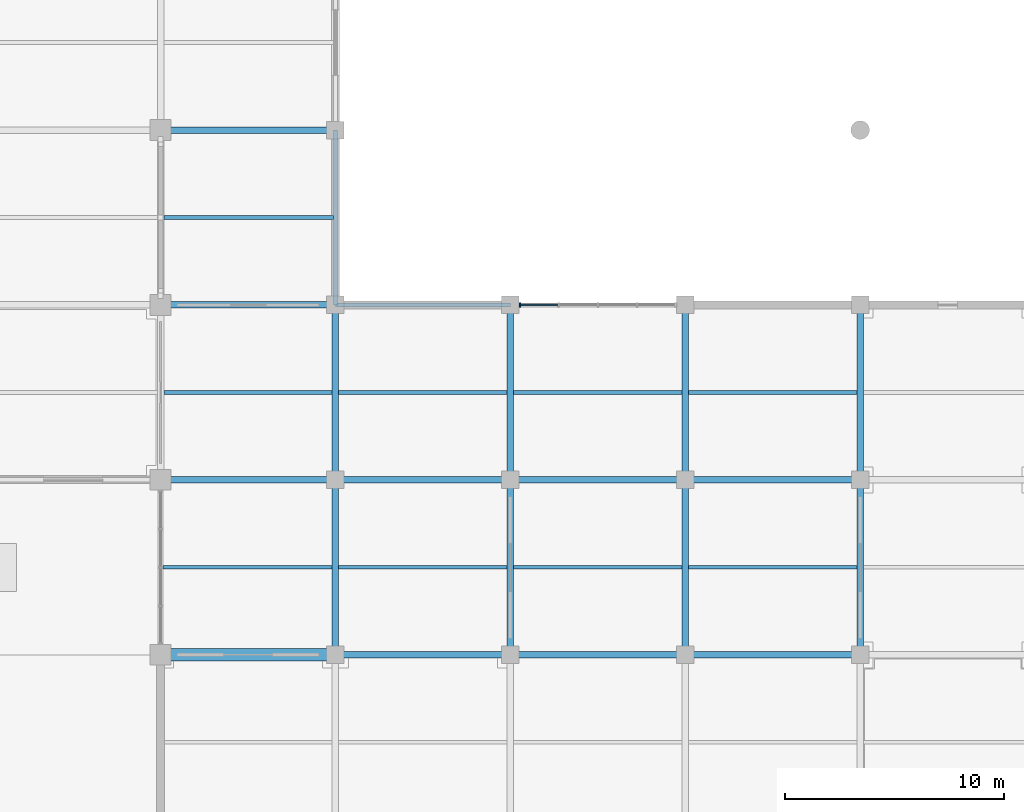
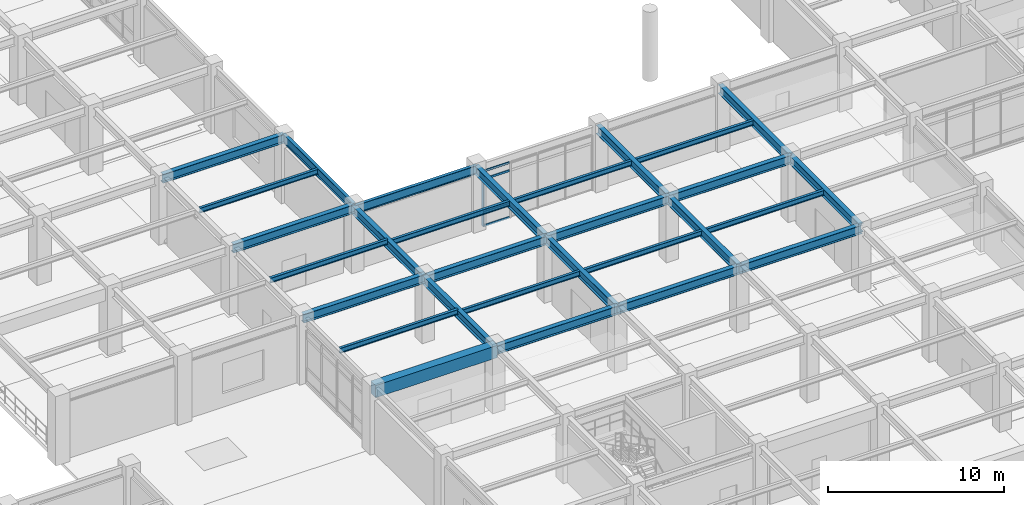
# One storey, part 24 of 109: 29 beams, 5 members, 1 element without a shape of its own.
"""IFC4 building model written with IfcOpenShell, lengths in metres."""

from ifc_helpers import new_model, si_unit, direction, frame, origin, origin_2d, place, context, subcontext, project, spatial, rectangle, i_section, extrude, material, layer, layer_set, material_profile, profile_set, type_object, element, aggregate, save


model = new_model("IFC4")

# Units and contexts
model_context = context("Model", 3, precision=1e-05, world=origin(), true_north=direction((0.0, 1.0)))
body_context = subcontext(model_context, "Body", "Model", "MODEL_VIEW")
ifc_project = project(units=[si_unit("LENGTHUNIT", "METRE"), si_unit("AREAUNIT", "SQUARE_METRE"), si_unit("VOLUMEUNIT", "CUBIC_METRE"), si_unit("PLANEANGLEUNIT", "RADIAN"), si_unit("MASSUNIT", "GRAM", prefix="KILO")], contexts=[model_context])

# Site, building, storey
site_placement = place(None, origin())
site = spatial("IfcSite", under=ifc_project, at=site_placement, CompositionType="ELEMENT")
building_placement = place(site_placement, origin())
building = spatial("IfcBuilding", under=site, at=building_placement, Name="Haebicheon Civic Stadium", CompositionType="ELEMENT")
storey_placement = place(building_placement, frame((0.0, 0.0, 9.60009765625)))
storey = spatial("IfcBuildingStorey", under=building, at=storey_placement, Name="L03", CompositionType="ELEMENT", Elevation=9.60009765625)

# Beams
ifc_material_1 = material(Name="Concrete C40/50", Category="concrete")
ifc_material_profile_1 = material_profile(ifc_material_1, rectangle(XDim=0.550048828125, YDim=0.85009765625, at=origin_2d()), Name="RC-BM-550x850")
ifc_profile_set_1 = profile_set([ifc_material_profile_1], Name="Concrete C40/50")
beam_type_1 = type_object("IfcBeamType", Name="BM-RC-550x850", PredefinedType="BEAM", material=ifc_profile_set_1)
beam_1_placement = place(storey_placement, frame((160.0, 32.0, 4.114990234375), z_axis=(1.0, 0.0, 0.0), x_axis=(0.0, 1.0, 0.0)))
element("IfcBeam", 1, at=beam_1_placement, inside=storey, type_object=beam_type_1, material=ifc_profile_set_1, Name="L03 beam E/21-22", PredefinedType="BEAM", context=body_context, shape_type="SweptSolid", body=[
    extrude(rectangle(XDim=0.550048828125, YDim=0.85009765625, at=origin_2d()), origin(), (0.0, 0.0, 1.0), 8.0),
])
ifc_material_2 = material(Name="Steel SM355 (S355)", Category="steel")
ifc_material_profile_2 = material_profile(ifc_material_2, i_section(OverallWidth=0.300048828125, OverallDepth=0.60009765625, WebThickness=0.011962890625, FlangeThickness=0.02001953125, at=origin_2d()), Name="H-600x300x12x20")
ifc_profile_set_2 = profile_set([ifc_material_profile_2], Name="Steel SM355 (S355)")
beam_type_2 = type_object("IfcBeamType", Name="BM-ST-H600A", PredefinedType="BEAM", material=ifc_profile_set_2)
for number, where, z_axis, x_axis, name in (
    (2, (168.0, 32.0, 4.099853515625), (0.0, 1.0, 0.0), (-1.0, 0.0, 0.0), "L03 girder 22/E-F"),
    (3, (168.0, 40.0, 4.099853515625), (0.0, 1.0, 0.0), (-1.0, 0.0, 0.0), "L03 girder 22/F-G"),
    (4, (176.0, 32.0, 4.099853515625), (0.0, 1.0, 0.0), (-1.0, 0.0, 0.0), "L03 girder 23/E-F"),
    (5, (176.0, 40.0, 4.099853515625), (0.0, 1.0, 0.0), (-1.0, 0.0, 0.0), "L03 girder 23/F-G"),
    (6, (184.0, 32.0, 4.099853515625), (0.0, 1.0, 0.0), (-1.0, 0.0, 0.0), "L03 girder 24/E-F"),
    (7, (184.0, 40.0, 4.099853515625), (0.0, 1.0, 0.0), (-1.0, 0.0, 0.0), "L03 girder 24/F-G"),
    (8, (192.0, 32.0, 4.099853515625), (0.0, 1.0, 0.0), (-1.0, 0.0, 0.0), "L03 girder 25/E-F"),
    (9, (192.0, 40.0, 4.099853515625), (0.0, 1.0, 0.0), (-1.0, 0.0, 0.0), "L03 girder 25/F-G"),
    (10, (160.0, 40.0, 4.239990234375), (1.0, 0.0, 0.0), (0.0, 1.0, 0.0), "L03 beam F/21-22"),
    (11, (160.0, 48.0, 4.239990234375), (1.0, 0.0, 0.0), (0.0, 1.0, 0.0), "L03 beam G/21-22"),
    (12, (160.0, 56.0, 4.239990234375), (1.0, 0.0, 0.0), (0.0, 1.0, 0.0), "L03 beam H/21-22"),
    (13, (168.0, 32.0, 4.099853515625), (1.0, 0.0, 0.0), (0.0, 1.0, 0.0), "L03 beam E/22-23"),
    (14, (168.0, 40.0, 4.099853515625), (1.0, 0.0, 0.0), (0.0, 1.0, 0.0), "L03 beam F/22-23"),
    (15, (176.0, 32.0, 4.099853515625), (1.0, 0.0, 0.0), (0.0, 1.0, 0.0), "L03 beam E/23-24"),
    (16, (176.0, 40.0, 4.099853515625), (1.0, 0.0, 0.0), (0.0, 1.0, 0.0), "L03 beam F/23-24"),
    (17, (184.0, 32.0, 4.099853515625), (1.0, 0.0, 0.0), (0.0, 1.0, 0.0), "L03 beam E/24-25"),
    (18, (184.0, 40.0, 4.099853515625), (1.0, 0.0, 0.0), (0.0, 1.0, 0.0), "L03 beam F/24-25"),
):
    element("IfcBeam", number, at=place(storey_placement, frame(where, z_axis=z_axis, x_axis=x_axis)), inside=storey, type_object=beam_type_2, material=ifc_profile_set_2, Name=name, PredefinedType="BEAM", context=body_context, shape_type="SweptSolid", body=[
        extrude(i_section(OverallWidth=0.300048828125, OverallDepth=0.60009765625, WebThickness=0.011962890625, FlangeThickness=0.02001953125, at=origin_2d()), origin(), (0.0, 0.0, 1.0), 8.0),
    ])

# Curtain wall, members
ifc_material_3 = material(Name="Anodised aluminium and laminated glass", Category="aluminium")
ifc_layer = layer(ifc_material_3, 0.179931640625, Name="Anodised aluminium and laminated glass")
ifc_layer_set = layer_set([ifc_layer], Name="Anodised aluminium and laminated glass")
curtain_wall_type = type_object("IfcCurtainWallType", Name="CW-7200x3790", PredefinedType="NOTDEFINED", material=ifc_layer_set)
curtain_wall_placement = place(storey_placement, origin())
curtain_wall = element("IfcCurtainWall", 19, at=curtain_wall_placement, inside=storey, type_object=curtain_wall_type, material=ifc_layer_set, Name="L03 unitised curtain wall 092", PredefinedType="NOTDEFINED")
ifc_material_4 = material(Name="Anodised aluminium 6063-T6", Category="aluminium")
ifc_material_profile_3 = material_profile(ifc_material_4, rectangle(XDim=0.070068359375, YDim=0.199951171875, at=origin_2d()), Name="ALU-MULL-70x200")
ifc_profile_set_3 = profile_set([ifc_material_profile_3], Name="Anodised aluminium 6063-T6")
member_type_1 = type_object("IfcMemberType", Name="CWM-200x70", PredefinedType="MULLION", material=ifc_profile_set_3)
member_1_placement = place(storey_placement, frame((176.43505859375, 48.0, 0.0), z_axis=(0.0, 0.0, 1.0), x_axis=(1.0, 0.0, 0.0)))
member_1 = element("IfcMember", 20, at=member_1_placement, type_object=member_type_1, material=ifc_profile_set_3, Name="CW-L03-092 vertical mullion 1", PredefinedType="MULLION", context=body_context, shape_type="SweptSolid", body=[
    extrude(rectangle(XDim=0.070068359375, YDim=0.199951171875, at=origin_2d()), origin(), (0.0, 0.0, 1.0), 3.789794921875),
])
ifc_material_5 = material(Name="Anodised aluminium 6063-T6", Category="aluminium")
ifc_material_profile_4 = material_profile(ifc_material_5, rectangle(XDim=0.070068359375, YDim=0.14990234375, at=origin_2d()), Name="ALU-TRAN-70x150")
ifc_profile_set_4 = profile_set([ifc_material_profile_4], Name="Anodised aluminium 6063-T6")
member_type_2 = type_object("IfcMemberType", Name="CWT-150x70", PredefinedType="NOTDEFINED", material=ifc_profile_set_4)
member_2_placement = place(storey_placement, frame((176.469970703125, 48.0, 0.0), z_axis=(1.0, 0.0, 0.0), x_axis=(0.0, 1.0, 0.0)))
member_2 = element("IfcMember", 21, at=member_2_placement, type_object=member_type_2, material=ifc_profile_set_4, Name="CW-L03-092 horizontal transom 1.1", ObjectType="TRANSOM", PredefinedType="USERDEFINED", context=body_context, shape_type="SweptSolid", body=[
    extrude(rectangle(XDim=0.070068359375, YDim=0.14990234375, at=origin_2d()), origin(), (0.0, 0.0, 1.0), 1.695068359375),
])
member_3_placement = place(storey_placement, frame((176.469970703125, 48.0, 0.89990234375), z_axis=(1.0, 0.0, 0.0), x_axis=(0.0, 1.0, 0.0)))
member_3 = element("IfcMember", 22, at=member_3_placement, type_object=member_type_2, material=ifc_profile_set_4, Name="CW-L03-092 horizontal transom 1.2", ObjectType="TRANSOM", PredefinedType="USERDEFINED", context=body_context, shape_type="SweptSolid", body=[
    extrude(rectangle(XDim=0.070068359375, YDim=0.14990234375, at=origin_2d()), origin(), (0.0, 0.0, 1.0), 1.695068359375),
])
member_4_placement = place(storey_placement, frame((176.469970703125, 48.0, 3.239990234375), z_axis=(1.0, 0.0, 0.0), x_axis=(0.0, 1.0, 0.0)))
member_4 = element("IfcMember", 23, at=member_4_placement, type_object=member_type_2, material=ifc_profile_set_4, Name="CW-L03-092 horizontal transom 1.3", ObjectType="TRANSOM", PredefinedType="USERDEFINED", context=body_context, shape_type="SweptSolid", body=[
    extrude(rectangle(XDim=0.070068359375, YDim=0.14990234375, at=origin_2d()), origin(), (0.0, 0.0, 1.0), 1.695068359375),
])
member_5_placement = place(storey_placement, frame((176.469970703125, 48.0, 3.789794921875), z_axis=(1.0, 0.0, 0.0), x_axis=(0.0, 1.0, 0.0)))
member_5 = element("IfcMember", 24, at=member_5_placement, type_object=member_type_2, material=ifc_profile_set_4, Name="CW-L03-092 horizontal transom 1.4", ObjectType="TRANSOM", PredefinedType="USERDEFINED", context=body_context, shape_type="SweptSolid", body=[
    extrude(rectangle(XDim=0.070068359375, YDim=0.14990234375, at=origin_2d()), origin(), (0.0, 0.0, 1.0), 1.695068359375),
])
aggregate(curtain_wall, [member_1, member_2, member_3, member_4, member_5])

# Beams
ifc_material_6 = material(Name="Steel SM355 (S355)", Category="steel")
ifc_material_profile_5 = material_profile(ifc_material_6, i_section(OverallWidth=0.175048828125, OverallDepth=0.35009765625, WebThickness=0.007080078125, FlangeThickness=0.010986328125, at=origin_2d()), Name="H-350x175x7x11")
ifc_profile_set_5 = profile_set([ifc_material_profile_5], Name="Steel SM355 (S355)")
beam_type_3 = type_object("IfcBeamType", Name="JST-ST-H350", PredefinedType="JOIST", material=ifc_profile_set_5)
beam_2_placement = place(storey_placement, frame((160.10009765625, 36.0, 4.364990234375), z_axis=(1.0, 0.0, 0.0), x_axis=(0.0, 1.0, 0.0)))
element("IfcBeam", 25, at=beam_2_placement, inside=storey, type_object=beam_type_3, material=ifc_profile_set_5, Name="L03 secondary joist 20-04", PredefinedType="JOIST", context=body_context, shape_type="SweptSolid", body=[
    extrude(i_section(OverallWidth=0.175048828125, OverallDepth=0.35009765625, WebThickness=0.007080078125, FlangeThickness=0.010986328125, at=origin_2d()), origin(), (0.0, 0.0, 1.0), 7.75),
])
beam_3_placement = place(storey_placement, frame((160.14990234375, 44.0, 4.364990234375), z_axis=(1.0, 0.0, 0.0), x_axis=(0.0, 1.0, 0.0)))
element("IfcBeam", 26, at=beam_3_placement, inside=storey, type_object=beam_type_3, material=ifc_profile_set_5, Name="L03 secondary joist 20-05", PredefinedType="JOIST", context=body_context, shape_type="SweptSolid", body=[
    extrude(i_section(OverallWidth=0.175048828125, OverallDepth=0.35009765625, WebThickness=0.007080078125, FlangeThickness=0.010986328125, at=origin_2d()), origin(), (0.0, 0.0, 1.0), 7.7001953125),
])
beam_4_placement = place(storey_placement, frame((160.14990234375, 52.0, 4.364990234375), z_axis=(1.0, 0.0, 0.0), x_axis=(0.0, 1.0, 0.0)))
element("IfcBeam", 27, at=beam_4_placement, inside=storey, type_object=beam_type_3, material=ifc_profile_set_5, Name="L03 secondary joist 20-06", PredefinedType="JOIST", context=body_context, shape_type="SweptSolid", body=[
    extrude(i_section(OverallWidth=0.175048828125, OverallDepth=0.35009765625, WebThickness=0.007080078125, FlangeThickness=0.010986328125, at=origin_2d()), origin(), (0.0, 0.0, 1.0), 7.75),
])
for number, where, z_axis, x_axis, name in (
    (28, (168.14990234375, 36.0, 4.224853515625), (1.0, 0.0, 0.0), (0.0, 1.0, 0.0), "L03 secondary joist 21-04"),
    (29, (168.14990234375, 44.0, 4.224853515625), (1.0, 0.0, 0.0), (0.0, 1.0, 0.0), "L03 secondary joist 21-05"),
    (30, (176.14990234375, 36.0, 4.224853515625), (1.0, 0.0, 0.0), (0.0, 1.0, 0.0), "L03 secondary joist 22-04"),
    (31, (176.14990234375, 44.0, 4.224853515625), (1.0, 0.0, 0.0), (0.0, 1.0, 0.0), "L03 secondary joist 22-05"),
    (32, (184.14990234375, 36.0, 4.224853515625), (1.0, 0.0, 0.0), (0.0, 1.0, 0.0), "L03 secondary joist 23-04"),
    (33, (184.14990234375, 44.0, 4.224853515625), (1.0, 0.0, 0.0), (0.0, 1.0, 0.0), "L03 secondary joist 23-05"),
):
    element("IfcBeam", number, at=place(storey_placement, frame(where, z_axis=z_axis, x_axis=x_axis)), inside=storey, type_object=beam_type_3, material=ifc_profile_set_5, Name=name, PredefinedType="JOIST", context=body_context, shape_type="SweptSolid", body=[
        extrude(i_section(OverallWidth=0.175048828125, OverallDepth=0.35009765625, WebThickness=0.007080078125, FlangeThickness=0.010986328125, at=origin_2d()), origin(), (0.0, 0.0, 1.0), 7.7001953125),
    ])
ifc_material_7 = material(Name="Steel SM355 (S355)", Category="steel")
ifc_material_profile_6 = material_profile(ifc_material_7, i_section(OverallWidth=0.199951171875, OverallDepth=0.60009765625, WebThickness=0.010986328125, FlangeThickness=0.01708984375, at=origin_2d()), Name="H-600x200x11x17")
ifc_profile_set_6 = profile_set([ifc_material_profile_6], Name="Steel SM355 (S355)")
beam_type_4 = type_object("IfcBeamType", Name="SPD-ST-H600B", PredefinedType="SPANDREL", material=ifc_profile_set_6)
for number, where, z_axis, x_axis, name in (
    (34, (168.0, 48.0, 4.239990234375), (0.0, 1.0, 0.0), (-1.0, 0.0, 0.0), "L03 girder 22/G-H"),
    (35, (168.0, 48.0, 4.099853515625), (1.0, 0.0, 0.0), (0.0, 1.0, 0.0), "L03 beam G/22-23"),
):
    element("IfcBeam", number, at=place(storey_placement, frame(where, z_axis=z_axis, x_axis=x_axis)), inside=storey, type_object=beam_type_4, material=ifc_profile_set_6, Name=name, PredefinedType="SPANDREL", context=body_context, shape_type="SweptSolid", body=[
        extrude(i_section(OverallWidth=0.199951171875, OverallDepth=0.60009765625, WebThickness=0.010986328125, FlangeThickness=0.01708984375, at=origin_2d()), origin(), (0.0, 0.0, 1.0), 8.0),
    ])

save(model, "model.ifc")
